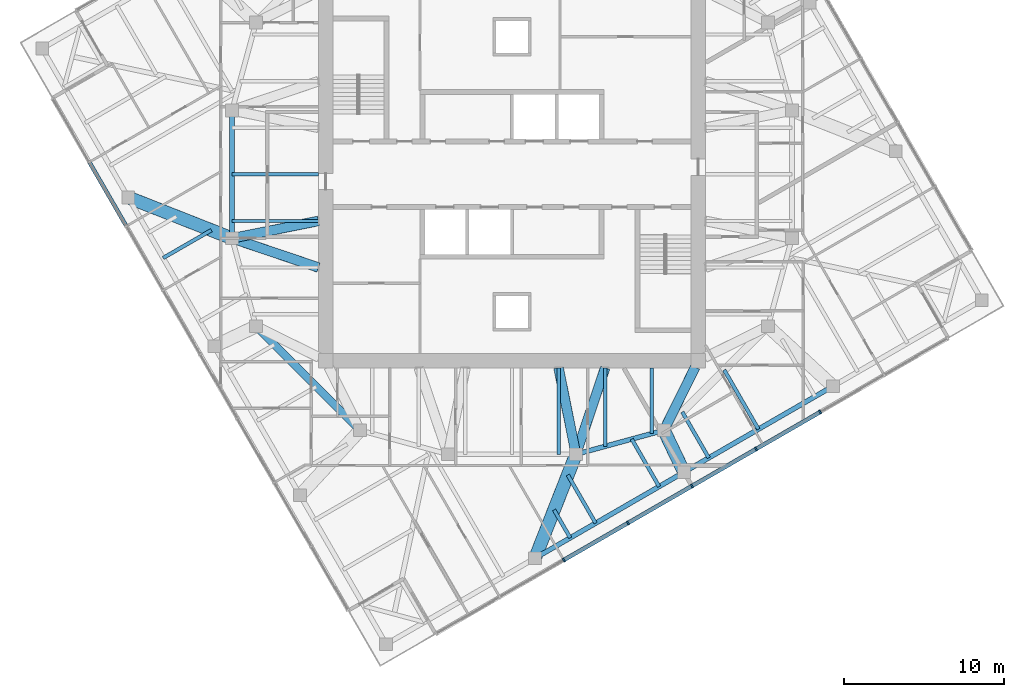
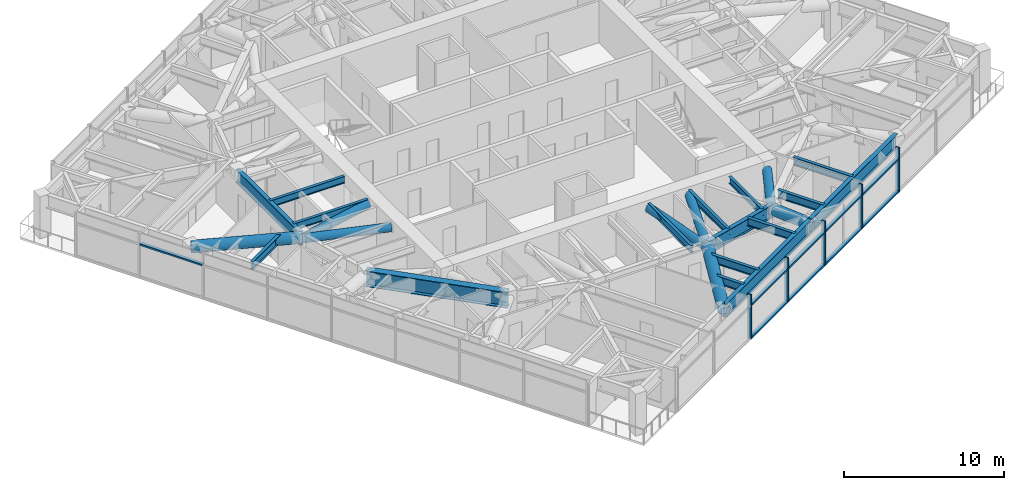
# One storey, part 3 of 16: 22 members, 16 beams, 2 elements without a shape of their own.
"""IFC4 building model written with IfcOpenShell, lengths in metres."""

import ifcopenshell
import ifcopenshell.guid

model = None  # the IFC model being written
_history = None  # IfcOwnerHistory: only IFC2X3 demands one
_inside = {}  # id of a spatial element -> (the spatial element, [elements in it])
_under = {}  # id of a project, library or spatial element -> (it, [spatial elements below it])
_declared = {}  # id of a project -> (the project, [libraries it declares])
_typed = {}  # id of a type object -> (the type object, [elements of that type])
_made_of = {}  # id of a material, layer set ... -> (it, [elements and type objects made of it])


def new_model(schema):
    """Start an empty IFC model of exactly this schema.

    Asked for "IFC4X3", IfcOpenShell would pick the latest addendum, in which some entities
    have other attributes; the version numbers below select the first issue.
    IFC2X3 requires an IfcOwnerHistory on every rooted entity: one is made here for all.
    """
    global model, _history
    if schema == "IFC4X3":
        model = ifcopenshell.file(schema_version=(4, 3, 0, 0))
    else:
        model = ifcopenshell.file(schema=schema)
    _inside.clear()
    _under.clear()
    _declared.clear()
    _typed.clear()
    _made_of.clear()
    _history = None
    if model.schema == "IFC2X3":
        org = make("IfcOrganization", Name="unknown")
        user = make(
            "IfcPersonAndOrganization",
            ThePerson=make("IfcPerson", FamilyName="unknown"),
            TheOrganization=org,
        )
        app = make(
            "IfcApplication",
            ApplicationDeveloper=org,
            Version="unknown",
            ApplicationFullName="unknown",
            ApplicationIdentifier="unknown",
        )
        _history = make(
            "IfcOwnerHistory",
            OwningUser=user,
            OwningApplication=app,
            ChangeAction="ADDED",
            CreationDate=0,
        )
    return model


def make(cls, **values):
    """One entity of the class cls with the attributes given. An attribute that is None is left unset."""
    return model.create_entity(
        cls, **{name: value for name, value in values.items() if value is not None}
    )


def rooted(cls, **values):
    """An entity with a GlobalId (a new one), such as an element, a storey or a relation."""
    return make(cls, GlobalId=ifcopenshell.guid.new(), OwnerHistory=_history, **values)


def si_unit(unit_type, name, prefix=None):
    """IfcSIUnit, for example si_unit("LENGTHUNIT", "METRE", prefix="MILLI")."""
    return make("IfcSIUnit", UnitType=unit_type, Prefix=prefix, Name=name)


def assignment(units):
    """IfcUnitAssignment: the units of a project."""
    return None if units is None else make("IfcUnitAssignment", Units=units)


def point(xyz):
    """IfcCartesianPoint."""
    return None if xyz is None else make("IfcCartesianPoint", Coordinates=xyz)


def direction(xyz):
    """IfcDirection."""
    return None if xyz is None else make("IfcDirection", DirectionRatios=xyz)


def frame(location, z_axis=None, x_axis=None):
    """IfcAxis2Placement3D, a coordinate frame: its origin and axes. An axis left out is left unset."""
    return make(
        "IfcAxis2Placement3D",
        Location=point(location),
        Axis=direction(z_axis),
        RefDirection=direction(x_axis),
    )


def frame_2d(location, x_axis=None):
    """IfcAxis2Placement2D, a coordinate frame in the plane: its origin and x axis."""
    return make(
        "IfcAxis2Placement2D", Location=point(location), RefDirection=direction(x_axis)
    )


def origin():
    """The frame at (0, 0, 0) with its axes left unset."""
    return frame((0.0, 0.0, 0.0))


def origin_2d():
    """The frame at (0, 0) in the plane with its x axis left unset."""
    return frame_2d((0.0, 0.0))


def place(relative_to, where):
    """IfcLocalPlacement: puts the frame where relative to a parent placement (None: the world)."""
    return make(
        "IfcLocalPlacement", PlacementRelTo=relative_to, RelativePlacement=where
    )


def context(
    kind, dimensions, precision=None, world=None, true_north=None, identifier=None
):
    """IfcGeometricRepresentationContext, for example the 3D "Model" context."""
    return make(
        "IfcGeometricRepresentationContext",
        ContextIdentifier=identifier,
        ContextType=kind,
        CoordinateSpaceDimension=dimensions,
        Precision=precision,
        WorldCoordinateSystem=world,
        TrueNorth=true_north,
    )


def subcontext(parent, identifier, kind, view, scale=None):
    """IfcGeometricRepresentationSubContext, for example "Body" below "Model"."""
    return make(
        "IfcGeometricRepresentationSubContext",
        ContextIdentifier=identifier,
        ContextType=kind,
        ParentContext=parent,
        TargetScale=scale,
        TargetView=view,
    )


def project(units=None, contexts=None):
    """IfcProject with its units and contexts."""
    return rooted(
        "IfcProject",
        Name="project",
        RepresentationContexts=contexts,
        UnitsInContext=assignment(units),
    )


def spatial(cls, under=None, at=None, **own):
    """A site, building, storey or space (cls), placed at a placement, below another one or the project."""
    s = rooted(cls, ObjectPlacement=at, **own)
    if under is not None:
        _under.setdefault(under.id(), (under, []))[1].append(s)
    return s


def profile(cls, at=None, kind="AREA", **sizes):
    """A parametric profile (cls). Its sizes go by their IFC names, for example OverallWidth=200.0."""
    return make(cls, ProfileType=kind, Position=at, **sizes)


def rectangle(**sizes):
    """IfcRectangleProfileDef."""
    return profile("IfcRectangleProfileDef", **sizes)


def hollow_circle(**sizes):
    """IfcCircleHollowProfileDef."""
    return profile("IfcCircleHollowProfileDef", **sizes)


def i_section(**sizes):
    """IfcIShapeProfileDef."""
    return profile("IfcIShapeProfileDef", **sizes)


def extrude(swept, where, along, depth):
    """IfcExtrudedAreaSolid: the profile swept, set in the frame where, extruded along a direction by depth."""
    return make(
        "IfcExtrudedAreaSolid",
        SweptArea=swept,
        Position=where,
        ExtrudedDirection=direction(along),
        Depth=depth,
    )


def shape(context_of_items, identifier, shape_type, items):
    """IfcShapeRepresentation: the items that make up one representation, for example the "Body"."""
    return make(
        "IfcShapeRepresentation",
        ContextOfItems=context_of_items,
        RepresentationIdentifier=identifier,
        RepresentationType=shape_type,
        Items=items,
    )


def material(Name=None, Category=None):
    """IfcMaterial."""
    return make("IfcMaterial", Name=Name, Category=Category)


def material_profile(
    of_material, cross_section, Name=None, Category=None, Priority=None
):
    """IfcMaterialProfile: a cross section and its material."""
    return make(
        "IfcMaterialProfile",
        Name=Name,
        Material=of_material,
        Profile=cross_section,
        Priority=Priority,
        Category=Category,
    )


def profile_set(profiles, Name=None, composite=None):
    """IfcMaterialProfileSet."""
    return make(
        "IfcMaterialProfileSet",
        Name=Name,
        MaterialProfiles=profiles,
        CompositeProfile=composite,
    )


def made_of(thing, what):
    """Note that an element or type object is made of a material, layer set ...; save() writes the relation."""
    if what is not None:
        _made_of.setdefault(what.id(), (what, []))[1].append(thing)
    return thing


def type_object(cls, material=None, **own):
    """A type object (cls), such as IfcWallType, which elements share."""
    return made_of(rooted(cls, **own), material)


def element(
    cls,
    number,
    at=None,
    inside=None,
    cuts=None,
    type_object=None,
    material=None,
    context=None,
    identifier="Body",
    shape_type=None,
    held_by="IfcProductDefinitionShape",
    body=None,
    shapes=None,
    **own,
):
    """One element of the class cls, such as IfcWall. Its Tag is "e" and its number.

    at: its placement. inside: the storey or other place that contains it. cuts: it is an
    opening in that element (IfcRelVoidsElement). A single representation is given by context,
    identifier, shape_type and body (its items); several are given by shapes. held_by: the class
    of the entity that holds the representations. save() writes the other relations.
    """
    e = rooted(cls, Tag="e%d" % number, ObjectPlacement=at, **own)
    if body is not None:
        shapes = [shape(context, identifier, shape_type, body)]
    if shapes is not None:
        e.Representation = make(held_by, Representations=shapes)
    if inside is not None:
        _inside.setdefault(inside.id(), (inside, []))[1].append(e)
    if cuts is not None:
        rooted(
            "IfcRelVoidsElement", RelatingBuildingElement=cuts, RelatedOpeningElement=e
        )
    if type_object is not None:
        _typed.setdefault(type_object.id(), (type_object, []))[1].append(e)
    return made_of(e, material)


def aggregate(whole, parts):
    """IfcRelAggregates: a whole, such as a stair, and the parts it consists of."""
    return rooted("IfcRelAggregates", RelatingObject=whole, RelatedObjects=parts)


def save(model, path):
    """Write the relations noted so far, then the file.

    IfcRelAggregates (storeys below a building ...), IfcRelContainedInSpatialStructure (elements
    in a storey), IfcRelDefinesByType, IfcRelAssociatesMaterial and IfcRelDeclares: one each for
    every whole, place, type object, material and project.
    """
    for whole, parts in _under.values():
        aggregate(whole, parts)
    for where, things in _inside.values():
        rooted(
            "IfcRelContainedInSpatialStructure",
            RelatedElements=things,
            RelatingStructure=where,
        )
    for kind, things in _typed.values():
        rooted("IfcRelDefinesByType", RelatedObjects=things, RelatingType=kind)
    for what, things in _made_of.values():
        rooted("IfcRelAssociatesMaterial", RelatedObjects=things, RelatingMaterial=what)
    for by, libraries in _declared.values():
        rooted("IfcRelDeclares", RelatingContext=by, RelatedDefinitions=libraries)
    model.write(path)


model = new_model("IFC4")

# Units and contexts
model_context = context("Model", 3, precision=1e-05, world=origin(), true_north=direction((0.0, 1.0)))
body_context = subcontext(model_context, "Body", "Model", "MODEL_VIEW")
ifc_project = project(units=[si_unit("LENGTHUNIT", "METRE"), si_unit("AREAUNIT", "SQUARE_METRE"), si_unit("VOLUMEUNIT", "CUBIC_METRE"), si_unit("PLANEANGLEUNIT", "RADIAN"), si_unit("MASSUNIT", "GRAM", prefix="KILO")], contexts=[model_context])

# Site, building, storey
site_placement = place(None, origin())
site = spatial("IfcSite", under=ifc_project, at=site_placement, CompositionType="ELEMENT")
building_placement = place(site_placement, origin())
building = spatial("IfcBuilding", under=site, at=building_placement, Name="Torsade Residences", CompositionType="ELEMENT")
storey_placement = place(building_placement, frame((0.0, 0.0, 232.0)))
storey = spatial("IfcBuildingStorey", under=building, at=storey_placement, Name="L64", CompositionType="ELEMENT", Elevation=232.0)

# Curtain wall, members
ifc_material_1 = material(Name="Aluminium and glass", Category="aluminium")
curtain_wall_type = type_object("IfcCurtainWallType", Name="FRITTED GLASS CURTAIN WALL HIGH ZONE", PredefinedType="NOTDEFINED", material=ifc_material_1)
curtain_wall_1_placement = place(storey_placement, origin())
curtain_wall_1 = element("IfcCurtainWall", 1, at=curtain_wall_1_placement, inside=storey, type_object=curtain_wall_type, Name="Curtain wall L64 face 1", PredefinedType="NOTDEFINED")
ifc_material_2 = material(Name="Aluminium mullion", Category="aluminium")
ifc_material_profile_1 = material_profile(ifc_material_2, rectangle(XDim=0.25, YDim=0.10009765625, at=origin_2d()), Name="HIGH ZONE CURTAIN WALL MULLION 250x100")
ifc_profile_set_1 = profile_set([ifc_material_profile_1], Name="Aluminium mullion")
member_type_1 = type_object("IfcMemberType", Name="HIGH ZONE CURTAIN WALL MULLION 250x100", PredefinedType="MULLION", material=ifc_profile_set_1)
member_1_placement = place(storey_placement, frame((43.2392578125, 5.889404296875, 0.0), z_axis=(0.0, 0.0, 1.0), x_axis=(-0.499999999305, 0.866025404186, 0.0)))
member_1 = element("IfcMember", 2, at=member_1_placement, type_object=member_type_1, Name="Mullion 3", PredefinedType="MULLION", context=body_context, shape_type="SweptSolid", body=[
    extrude(rectangle(XDim=0.25, YDim=0.10009765625, at=origin_2d()), origin(), (0.0, 0.0, 1.0), 3.39990234375),
])
member_2_placement = place(storey_placement, frame((47.24462890625, 8.201904296875, 0.0), z_axis=(0.0, 0.0, 1.0), x_axis=(-0.499999999305, 0.866025404186, 0.0)))
member_2 = element("IfcMember", 3, at=member_2_placement, type_object=member_type_1, Name="Mullion 4", PredefinedType="MULLION", context=body_context, shape_type="SweptSolid", body=[
    extrude(rectangle(XDim=0.25, YDim=0.10009765625, at=origin_2d()), origin(), (0.0, 0.0, 1.0), 3.39990234375),
])
member_3_placement = place(storey_placement, frame((51.25, 10.514404296875, 0.0), z_axis=(0.0, 0.0, 1.0), x_axis=(-0.499999999305, 0.866025404186, 0.0)))
member_3 = element("IfcMember", 4, at=member_3_placement, type_object=member_type_1, Name="Mullion 5", PredefinedType="MULLION", context=body_context, shape_type="SweptSolid", body=[
    extrude(rectangle(XDim=0.25, YDim=0.10009765625, at=origin_2d()), origin(), (0.0, 0.0, 1.0), 3.39990234375),
])
member_4_placement = place(storey_placement, frame((55.25537109375, 12.826904296875, 0.0), z_axis=(0.0, 0.0, 1.0), x_axis=(-0.499999999305, 0.866025404186, 0.0)))
member_4 = element("IfcMember", 5, at=member_4_placement, type_object=member_type_1, Name="Mullion 6", PredefinedType="MULLION", context=body_context, shape_type="SweptSolid", body=[
    extrude(rectangle(XDim=0.25, YDim=0.10009765625, at=origin_2d()), origin(), (0.0, 0.0, 1.0), 3.39990234375),
])
member_5_placement = place(storey_placement, frame((59.2607421875, 15.139404296875, 0.0), z_axis=(0.0, 0.0, 1.0), x_axis=(-0.499999999305, 0.866025404186, 0.0)))
member_5 = element("IfcMember", 6, at=member_5_placement, type_object=member_type_1, Name="Mullion 7", PredefinedType="MULLION", context=body_context, shape_type="SweptSolid", body=[
    extrude(rectangle(XDim=0.25, YDim=0.10009765625, at=origin_2d()), origin(), (0.0, 0.0, 1.0), 3.39990234375),
])
ifc_material_3 = material(Name="Aluminium transom", Category="aluminium")
ifc_material_profile_2 = material_profile(ifc_material_3, rectangle(XDim=0.25, YDim=0.1201171875, at=origin_2d()), Name="HIGH ZONE CURTAIN WALL TRANSOM 250x120")
ifc_profile_set_2 = profile_set([ifc_material_profile_2], Name="Aluminium transom")
member_type_2 = type_object("IfcMemberType", Name="HIGH ZONE CURTAIN WALL TRANSOM 250x120", PredefinedType="USERDEFINED", material=ifc_profile_set_2)
member_6_placement = place(storey_placement, frame((43.282470703125, 5.914306640625, 0.06005859375), z_axis=(0.866016678684, 0.500015112013, 0.0), x_axis=(-0.500015112013, 0.866016678684, 0.0)))
member_6 = element("IfcMember", 7, at=member_6_placement, type_object=member_type_2, Name="Transom 3.1", ObjectType="TRANSOM", PredefinedType="USERDEFINED", context=body_context, shape_type="SweptSolid", body=[
    extrude(rectangle(XDim=0.25, YDim=0.1201171875, at=origin_2d()), origin(), (0.0, 0.0, 1.0), 4.525146484375),
])
member_7_placement = place(storey_placement, frame((43.282470703125, 5.914306640625, 2.56005859375), z_axis=(0.866016678684, 0.500015112013, 0.0), x_axis=(-0.500015112013, 0.866016678684, 0.0)))
member_7 = element("IfcMember", 8, at=member_7_placement, type_object=member_type_2, Name="Transom 3.2", ObjectType="TRANSOM", PredefinedType="USERDEFINED", context=body_context, shape_type="SweptSolid", body=[
    extrude(rectangle(XDim=0.25, YDim=0.1201171875, at=origin_2d()), origin(), (0.0, 0.0, 1.0), 4.525146484375),
])
member_8_placement = place(storey_placement, frame((47.287841796875, 8.226806640625, 0.06005859375), z_axis=(0.866016678684, 0.500015112013, 0.0), x_axis=(-0.500015112013, 0.866016678684, 0.0)))
member_8 = element("IfcMember", 9, at=member_8_placement, type_object=member_type_2, Name="Transom 4.1", ObjectType="TRANSOM", PredefinedType="USERDEFINED", context=body_context, shape_type="SweptSolid", body=[
    extrude(rectangle(XDim=0.25, YDim=0.1201171875, at=origin_2d()), origin(), (0.0, 0.0, 1.0), 4.525146484375),
])
member_9_placement = place(storey_placement, frame((47.287841796875, 8.226806640625, 2.56005859375), z_axis=(0.866016678684, 0.500015112013, 0.0), x_axis=(-0.500015112013, 0.866016678684, 0.0)))
member_9 = element("IfcMember", 10, at=member_9_placement, type_object=member_type_2, Name="Transom 4.2", ObjectType="TRANSOM", PredefinedType="USERDEFINED", context=body_context, shape_type="SweptSolid", body=[
    extrude(rectangle(XDim=0.25, YDim=0.1201171875, at=origin_2d()), origin(), (0.0, 0.0, 1.0), 4.525146484375),
])
member_10_placement = place(storey_placement, frame((51.293212890625, 10.539306640625, 0.06005859375), z_axis=(0.866016678684, 0.500015112013, 0.0), x_axis=(-0.500015112013, 0.866016678684, 0.0)))
member_10 = element("IfcMember", 11, at=member_10_placement, type_object=member_type_2, Name="Transom 5.1", ObjectType="TRANSOM", PredefinedType="USERDEFINED", context=body_context, shape_type="SweptSolid", body=[
    extrude(rectangle(XDim=0.25, YDim=0.1201171875, at=origin_2d()), origin(), (0.0, 0.0, 1.0), 4.525146484375),
])
member_11_placement = place(storey_placement, frame((51.293212890625, 10.539306640625, 2.56005859375), z_axis=(0.866016678684, 0.500015112013, 0.0), x_axis=(-0.500015112013, 0.866016678684, 0.0)))
member_11 = element("IfcMember", 12, at=member_11_placement, type_object=member_type_2, Name="Transom 5.2", ObjectType="TRANSOM", PredefinedType="USERDEFINED", context=body_context, shape_type="SweptSolid", body=[
    extrude(rectangle(XDim=0.25, YDim=0.1201171875, at=origin_2d()), origin(), (0.0, 0.0, 1.0), 4.525146484375),
])
member_12_placement = place(storey_placement, frame((55.298583984375, 12.851806640625, 0.06005859375), z_axis=(0.866016678684, 0.500015112013, 0.0), x_axis=(-0.500015112013, 0.866016678684, 0.0)))
member_12 = element("IfcMember", 13, at=member_12_placement, type_object=member_type_2, Name="Transom 6.1", ObjectType="TRANSOM", PredefinedType="USERDEFINED", context=body_context, shape_type="SweptSolid", body=[
    extrude(rectangle(XDim=0.25, YDim=0.1201171875, at=origin_2d()), origin(), (0.0, 0.0, 1.0), 4.525146484375),
])
member_13_placement = place(storey_placement, frame((55.298583984375, 12.851806640625, 2.56005859375), z_axis=(0.866016678684, 0.500015112013, 0.0), x_axis=(-0.500015112013, 0.866016678684, 0.0)))
member_13 = element("IfcMember", 14, at=member_13_placement, type_object=member_type_2, Name="Transom 6.2", ObjectType="TRANSOM", PredefinedType="USERDEFINED", context=body_context, shape_type="SweptSolid", body=[
    extrude(rectangle(XDim=0.25, YDim=0.1201171875, at=origin_2d()), origin(), (0.0, 0.0, 1.0), 4.525146484375),
])
aggregate(curtain_wall_1, [member_1, member_2, member_3, member_4, member_5, member_6, member_7, member_8, member_9, member_10, member_11, member_12, member_13])

# Curtain wall, member
curtain_wall_2_placement = place(storey_placement, origin())
curtain_wall_2 = element("IfcCurtainWall", 15, at=curtain_wall_2_placement, inside=storey, type_object=curtain_wall_type, Name="Curtain wall L64 face 10", PredefinedType="NOTDEFINED")
member_14_placement = place(storey_placement, frame((13.601806640625, 30.722900390625, 2.56005859375), z_axis=(0.500015112013, -0.866016678684, 0.0), x_axis=(0.866016678684, 0.500015112013, 0.0)))
member_14 = element("IfcMember", 16, at=member_14_placement, type_object=member_type_2, Name="Transom 2.2", ObjectType="TRANSOM", PredefinedType="USERDEFINED", context=body_context, shape_type="SweptSolid", body=[
    extrude(rectangle(XDim=0.25, YDim=0.1201171875, at=origin_2d()), origin(), (0.0, 0.0, 1.0), 4.525146484375),
])
aggregate(curtain_wall_2, [member_14])

# Beams
ifc_material_4 = material(Name="Steel grade 300", Category="steel")
ifc_material_profile_3 = material_profile(ifc_material_4, i_section(OverallWidth=0.208984375, OverallDepth=0.528076171875, WebThickness=0.009521484375, FlangeThickness=0.01318359375, FilletRadius=0.013916015625, at=origin_2d()), Name="530UB82.0")
ifc_profile_set_3 = profile_set([ifc_material_profile_3], Name="Steel grade 300")
beam_type_1 = type_object("IfcBeamType", Name="INNER FLOOR BEAM 530UB82.0", PredefinedType="JOIST", material=ifc_profile_set_3)
beam_1_placement = place(storey_placement, frame((48.737548828125, 17.89990234375, 2.93603515625), z_axis=(0.0, -1.0, 0.0), x_axis=(1.0, 0.0, 0.0)))
element("IfcBeam", 17, at=beam_1_placement, inside=storey, type_object=beam_type_1, Name="Inner floor beam IS01 L65", PredefinedType="JOIST", context=body_context, shape_type="SweptSolid", body=[
    extrude(i_section(OverallWidth=0.208984375, OverallDepth=0.528076171875, WebThickness=0.009521484375, FlangeThickness=0.01318359375, FilletRadius=0.013916015625, at=origin_2d()), origin(), (0.0, 0.0, 1.0), 4.10791015625),
])
beam_2_placement = place(storey_placement, frame((45.824951171875, 17.89990234375, 2.93603515625), z_axis=(0.0, -1.0, 0.0), x_axis=(1.0, 0.0, 0.0)))
element("IfcBeam", 18, at=beam_2_placement, inside=storey, type_object=beam_type_1, Name="Inner floor beam IS02 L65", PredefinedType="JOIST", context=body_context, shape_type="SweptSolid", body=[
    extrude(i_section(OverallWidth=0.208984375, OverallDepth=0.528076171875, WebThickness=0.009521484375, FlangeThickness=0.01318359375, FilletRadius=0.013916015625, at=origin_2d()), origin(), (0.0, 0.0, 1.0), 4.902099609375),
])
for number, where, z_axis, x_axis, name in (
    (19, (42.91259765625, 17.89990234375, 2.93603515625), (0.0, -1.0, 0.0), (1.0, 0.0, 0.0), "Inner floor beam IS03 L65"),
    (20, (27.89990234375, 30.0, 2.93603515625), (-1.0, 0.0, 0.0), (0.0, -1.0, 0.0), "Inner floor beam IW04 L65"),
    (21, (27.89990234375, 27.08740234375, 2.93603515625), (-1.0, 0.0, 0.0), (0.0, -1.0, 0.0), "Inner floor beam IW05 L65"),
):
    element("IfcBeam", number, at=place(storey_placement, frame(where, z_axis=z_axis, x_axis=x_axis)), inside=storey, type_object=beam_type_1, Name=name, PredefinedType="JOIST", context=body_context, shape_type="SweptSolid", body=[
        extrude(i_section(OverallWidth=0.208984375, OverallDepth=0.528076171875, WebThickness=0.009521484375, FlangeThickness=0.01318359375, FilletRadius=0.013916015625, at=origin_2d()), origin(), (0.0, 0.0, 1.0), 5.39990234375),
    ])
ifc_material_5 = material(Name="Steel grade 300", Category="steel")
ifc_material_profile_4 = material_profile(ifc_material_5, i_section(OverallWidth=0.5, OverallDepth=1.199951171875, WebThickness=0.01611328125, FlangeThickness=0.0400390625, at=origin_2d()), Name="1200WB455")
ifc_profile_set_4 = profile_set([ifc_material_profile_4], Name="Steel grade 300")
beam_type_2 = type_object("IfcBeamType", Name="RING CORNER GIRDER 1200WB455", PredefinedType="BEAM", material=ifc_profile_set_4)
beam_3_placement = place(storey_placement, frame((24.0, 20.5, 2.60009765625), z_axis=(0.707106781187, -0.707106781187, 0.0), x_axis=(0.707106781187, 0.707106781187, 0.0)))
element("IfcBeam", 22, at=beam_3_placement, inside=storey, type_object=beam_type_2, Name="Ring girder IR11 L65", PredefinedType="BEAM", context=body_context, shape_type="SweptSolid", body=[
    extrude(i_section(OverallWidth=0.5, OverallDepth=1.199951171875, WebThickness=0.01611328125, FlangeThickness=0.0400390625, at=origin_2d()), origin(), (0.0, 0.0, 1.0), 9.1923828125),
])
ifc_material_6 = material(Name="Steel grade 300", Category="steel")
ifc_material_profile_5 = material_profile(ifc_material_6, i_section(OverallWidth=0.300048828125, OverallDepth=1.0, WebThickness=0.01611328125, FlangeThickness=0.028076171875, at=origin_2d()), Name="1000WB215")
ifc_profile_set_5 = profile_set([ifc_material_profile_5], Name="Steel grade 300")
beam_type_3 = type_object("IfcBeamType", Name="RING GIRDER 1000WB215", PredefinedType="BEAM", material=ifc_profile_set_5)
beam_4_placement = place(storey_placement, frame((22.5, 34.0, 2.699951171875), z_axis=(0.0, -1.0, 0.0), x_axis=(1.0, 0.0, 0.0)))
element("IfcBeam", 23, at=beam_4_placement, inside=storey, type_object=beam_type_3, Name="Ring girder IR09 L65", PredefinedType="BEAM", context=body_context, shape_type="SweptSolid", body=[
    extrude(i_section(OverallWidth=0.300048828125, OverallDepth=1.0, WebThickness=0.01611328125, FlangeThickness=0.028076171875, at=origin_2d()), origin(), (0.0, 0.0, 1.0), 8.0),
])
beam_5_placement = place(storey_placement, frame((44.0, 12.5, 2.699951171875), z_axis=(0.964763821238, 0.263117405792, 0.0), x_axis=(-0.263117405792, 0.964763821238, 0.0)))
element("IfcBeam", 24, at=beam_5_placement, inside=storey, type_object=beam_type_3, Name="Ring girder IR14 L65", PredefinedType="BEAM", context=body_context, shape_type="SweptSolid", body=[
    extrude(i_section(OverallWidth=0.300048828125, OverallDepth=1.0, WebThickness=0.01611328125, FlangeThickness=0.028076171875, at=origin_2d()), origin(), (0.0, 0.0, 1.0), 5.700927734375),
])
ifc_material_7 = material(Name="Steel grade 300", Category="steel")
ifc_material_profile_6 = material_profile(ifc_material_7, i_section(OverallWidth=0.22900390625, OverallDepth=0.612060546875, WebThickness=0.011962890625, FlangeThickness=0.01953125, FilletRadius=0.013916015625, at=origin_2d()), Name="610UB125")
ifc_profile_set_6 = profile_set([ifc_material_profile_6], Name="Steel grade 300")
beam_type_4 = type_object("IfcBeamType", Name="SECONDARY BEAM 610UB125", PredefinedType="JOIST", material=ifc_profile_set_6)
beam_6_placement = place(storey_placement, frame((43.641357421875, 7.2763671875, 2.89404296875), z_axis=(-0.500050131373, 0.865996458488, 0.0), x_axis=(-0.865996458488, -0.500050131373, 0.0)))
element("IfcBeam", 25, at=beam_6_placement, inside=storey, type_object=beam_type_4, Name="Floor beam FS04 L65", PredefinedType="JOIST", context=body_context, shape_type="SweptSolid", body=[
    extrude(i_section(OverallWidth=0.22900390625, OverallDepth=0.612060546875, WebThickness=0.011962890625, FlangeThickness=0.01953125, FilletRadius=0.013916015625, at=origin_2d()), origin(), (0.0, 0.0, 1.0), 2.020751953125),
])
beam_7_placement = place(storey_placement, frame((45.22900390625, 8.19287109375, 2.89404296875), z_axis=(-0.499973559465, 0.866040668696, 0.0), x_axis=(-0.866040668696, -0.499973559465, 0.0)))
element("IfcBeam", 26, at=beam_7_placement, inside=storey, type_object=beam_type_4, Name="Floor beam FS05 L65", PredefinedType="JOIST", context=body_context, shape_type="SweptSolid", body=[
    extrude(i_section(OverallWidth=0.22900390625, OverallDepth=0.612060546875, WebThickness=0.011962890625, FlangeThickness=0.01953125, FilletRadius=0.013916015625, at=origin_2d()), origin(), (0.0, 0.0, 1.0), 3.478759765625),
])
beam_8_placement = place(storey_placement, frame((49.198486328125, 10.484619140625, 2.89404296875), z_axis=(-0.500041249073, 0.866001587311, 0.0), x_axis=(-0.866001587311, -0.500041249073, 0.0)))
element("IfcBeam", 27, at=beam_8_placement, inside=storey, type_object=beam_type_4, Name="Floor beam FS06 L65", PredefinedType="JOIST", context=body_context, shape_type="SweptSolid", body=[
    extrude(i_section(OverallWidth=0.22900390625, OverallDepth=0.612060546875, WebThickness=0.011962890625, FlangeThickness=0.01953125, FilletRadius=0.013916015625, at=origin_2d()), origin(), (0.0, 0.0, 1.0), 3.425048828125),
])
beam_9_placement = place(storey_placement, frame((52.301513671875, 12.2763671875, 2.89404296875), z_axis=(-0.499975512502, 0.866039541186, 0.0), x_axis=(-0.866039541186, -0.499975512502, 0.0)))
element("IfcBeam", 28, at=beam_9_placement, inside=storey, type_object=beam_type_4, Name="Floor beam FS07 L65", PredefinedType="JOIST", context=body_context, shape_type="SweptSolid", body=[
    extrude(i_section(OverallWidth=0.22900390625, OverallDepth=0.612060546875, WebThickness=0.011962890625, FlangeThickness=0.01953125, FilletRadius=0.013916015625, at=origin_2d()), origin(), (0.0, 0.0, 1.0), 3.312744140625),
])
beam_10_placement = place(storey_placement, frame((55.40478515625, 14.06787109375, 2.89404296875), z_axis=(-0.500004369671, 0.866022880939, 0.0), x_axis=(-0.866022880939, -0.500004369671, 0.0)))
element("IfcBeam", 29, at=beam_10_placement, inside=storey, type_object=beam_type_4, Name="Floor beam FS08 L65", PredefinedType="JOIST", context=body_context, shape_type="SweptSolid", body=[
    extrude(i_section(OverallWidth=0.22900390625, OverallDepth=0.612060546875, WebThickness=0.011962890625, FlangeThickness=0.01953125, FilletRadius=0.013916015625, at=origin_2d()), origin(), (0.0, 0.0, 1.0), 4.27294921875),
])
beam_11_placement = place(storey_placement, frame((18.19287109375, 24.77099609375, 2.89404296875), z_axis=(0.866040668696, 0.499973559465, 0.0), x_axis=(-0.499973559465, 0.866040668696, 0.0)))
element("IfcBeam", 30, at=beam_11_placement, inside=storey, type_object=beam_type_4, Name="Floor beam FW05 L65", PredefinedType="JOIST", context=body_context, shape_type="SweptSolid", body=[
    extrude(i_section(OverallWidth=0.22900390625, OverallDepth=0.612060546875, WebThickness=0.011962890625, FlangeThickness=0.01953125, FilletRadius=0.013916015625, at=origin_2d()), origin(), (0.0, 0.0, 1.0), 3.478759765625),
])

# Members
ifc_material_8 = material(Name="Steel grade 450", Category="steel")
ifc_material_profile_7 = material_profile(ifc_material_8, hollow_circle(Radius=0.304931640625, WallThickness=0.01611328125, at=origin_2d()), Name="610.0x16.0CHS")
ifc_profile_set_7 = profile_set([ifc_material_profile_7], Name="Steel grade 450")
member_type_3 = type_object("IfcMemberType", Name="TRANSFER FLOOR BRACE 610.0x16.0CHS", PredefinedType="BRACE", material=ifc_profile_set_7)
member_15_placement = place(storey_placement, frame((22.5, 26.0, 2.699951171875), z_axis=(0.980201418973, 0.197387517864, 0.015599552377), x_axis=(-0.197411538983, 0.980320704809, 0.0)))
element("IfcMember", 31, at=member_15_placement, inside=storey, type_object=member_type_3, Name="Transfer floor brace TT7 bottom IR10IW05", PredefinedType="BRACE", context=body_context, shape_type="SweptSolid", body=[
    extrude(hollow_circle(Radius=0.304931640625, WallThickness=0.01611328125, at=origin_2d()), origin(), (0.0, 0.0, 1.0), 5.509033203125),
])
member_16_placement = place(storey_placement, frame((22.5, 26.0, 2.699951171875), z_axis=(0.947252495944, -0.320133484365, 0.01507518214), x_axis=(0.320169867513, 0.947360151124, 0.0)))
element("IfcMember", 32, at=member_16_placement, inside=storey, type_object=member_type_3, Name="Transfer floor brace TT7 bottom IR10IW06", PredefinedType="BRACE", context=body_context, shape_type="SweptSolid", body=[
    extrude(hollow_circle(Radius=0.304931640625, WallThickness=0.01611328125, at=origin_2d()), origin(), (0.0, 0.0, 1.0), 5.70068359375),
])
member_17_placement = place(storey_placement, frame((44.0, 12.5, 2.699951171875), z_axis=(-0.197387517864, 0.980201418973, 0.015599552377), x_axis=(-0.980320704809, -0.197411538983, 0.0)))
element("IfcMember", 33, at=member_17_placement, inside=storey, type_object=member_type_3, Name="Transfer floor brace TT7 bottom IR14IS03", PredefinedType="BRACE", context=body_context, shape_type="SweptSolid", body=[
    extrude(hollow_circle(Radius=0.304931640625, WallThickness=0.01611328125, at=origin_2d()), origin(), (0.0, 0.0, 1.0), 5.509033203125),
])
member_18_placement = place(storey_placement, frame((44.0, 12.5, 2.699951171875), z_axis=(0.320133484365, 0.947252495944, 0.01507518214), x_axis=(-0.947360151124, 0.320169867513, 0.0)))
element("IfcMember", 34, at=member_18_placement, inside=storey, type_object=member_type_3, Name="Transfer floor brace TT7 bottom IR14IS02", PredefinedType="BRACE", context=body_context, shape_type="SweptSolid", body=[
    extrude(hollow_circle(Radius=0.304931640625, WallThickness=0.01611328125, at=origin_2d()), origin(), (0.0, 0.0, 1.0), 5.70068359375),
])
member_19_placement = place(storey_placement, frame((49.5, 14.0, 2.699951171875), z_axis=(0.443105036702, 0.896469701914, 0.0), x_axis=(-0.896469701914, 0.443105036702, 0.0)))
element("IfcMember", 35, at=member_19_placement, inside=storey, type_object=member_type_3, Name="Transfer floor brace TT7 bottom IR15C", PredefinedType="BRACE", context=body_context, shape_type="SweptSolid", body=[
    extrude(hollow_circle(Radius=0.304931640625, WallThickness=0.01611328125, at=origin_2d()), origin(), (0.0, 0.0, 1.0), 4.40234375),
])
ifc_material_9 = material(Name="Steel grade 450", Category="steel")
ifc_material_profile_8 = material_profile(ifc_material_9, hollow_circle(Radius=0.406494140625, WallThickness=0.02490234375, at=origin_2d()), Name="813.0x25.0CHS")
ifc_profile_set_8 = profile_set([ifc_material_profile_8], Name="Steel grade 450")
member_type_4 = type_object("IfcMemberType", Name="TRANSFER FLOOR STRUT 813.0x25.0CHS", PredefinedType="STRUT", material=ifc_profile_set_8)
member_20_placement = place(storey_placement, frame((41.440185546875, 6.00537109375, 2.798583984375), z_axis=(0.366688728668, 0.930343687176, 0.0), x_axis=(-0.930343687176, 0.366688728668, 0.0)))
element("IfcMember", 36, at=member_20_placement, inside=storey, type_object=member_type_4, Name="Transfer floor strut TT7 bottom 02IR14", PredefinedType="STRUT", context=body_context, shape_type="SweptSolid", body=[
    extrude(hollow_circle(Radius=0.406494140625, WallThickness=0.02490234375, at=origin_2d()), origin(), (0.0, 0.0, 1.0), 6.98095703125),
])
member_21_placement = place(storey_placement, frame((50.75, 11.38037109375, 2.798583984375), z_axis=(-0.430651736204, 0.902518189348, 0.0), x_axis=(-0.902518189348, -0.430651736204, 0.0)))
element("IfcMember", 37, at=member_21_placement, inside=storey, type_object=member_type_4, Name="Transfer floor strut TT7 bottom 03IR15", PredefinedType="STRUT", context=body_context, shape_type="SweptSolid", body=[
    extrude(hollow_circle(Radius=0.406494140625, WallThickness=0.02490234375, at=origin_2d()), origin(), (0.0, 0.0, 1.0), 2.902587890625),
])
member_22_placement = place(storey_placement, frame((16.00537109375, 28.559814453125, 2.798583984375), z_axis=(0.930343687176, -0.366688728668, 0.0), x_axis=(0.366688728668, 0.930343687176, 0.0)))
element("IfcMember", 38, at=member_22_placement, inside=storey, type_object=member_type_4, Name="Transfer floor strut TT7 bottom 14IR10", PredefinedType="STRUT", context=body_context, shape_type="SweptSolid", body=[
    extrude(hollow_circle(Radius=0.406494140625, WallThickness=0.02490234375, at=origin_2d()), origin(), (0.0, 0.0, 1.0), 6.98095703125),
])

# Beams
ifc_material_10 = material(Name="Steel grade 300", Category="steel")
ifc_material_profile_9 = material_profile(ifc_material_10, i_section(OverallWidth=0.300048828125, OverallDepth=1.0, WebThickness=0.01611328125, FlangeThickness=0.028076171875, at=origin_2d()), Name="1000WB215")
ifc_profile_set_9 = profile_set([ifc_material_profile_9], Name="Steel grade 300")
beam_type_5 = type_object("IfcBeamType", Name="TRANSFER TRUSS CHORD 1000WB215", PredefinedType="USERDEFINED", material=ifc_profile_set_9)
for number, where, z_axis, x_axis, name in (
    (39, (41.440185546875, 6.00537109375, 2.699951171875), (0.866026365697, 0.499998333915, 0.0), (-0.499998333915, 0.866026365697, 0.0), "Transfer truss TT7 bottom chord 02"),
    (40, (50.75, 11.38037109375, 2.699951171875), (0.866026365697, 0.499998333915, 0.0), (-0.499998333915, 0.866026365697, 0.0), "Transfer truss TT7 bottom chord 03"),
):
    element("IfcBeam", number, at=place(storey_placement, frame(where, z_axis=z_axis, x_axis=x_axis)), inside=storey, type_object=beam_type_5, Name=name, ObjectType="TRANSFER TRUSS CHORD", PredefinedType="USERDEFINED", context=body_context, shape_type="SweptSolid", body=[
        extrude(i_section(OverallWidth=0.300048828125, OverallDepth=1.0, WebThickness=0.01611328125, FlangeThickness=0.028076171875, at=origin_2d()), origin(), (0.0, 0.0, 1.0), 10.75),
    ])

save(model, "model.ifc")
